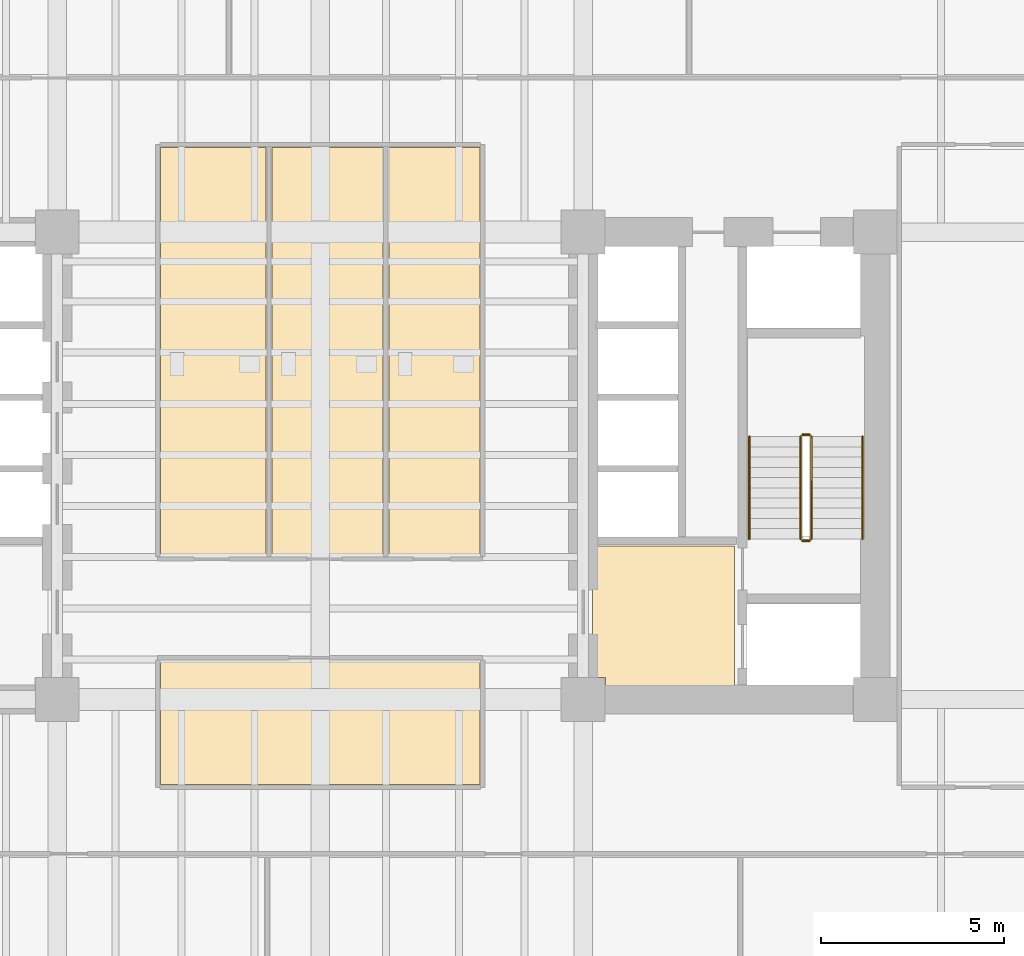
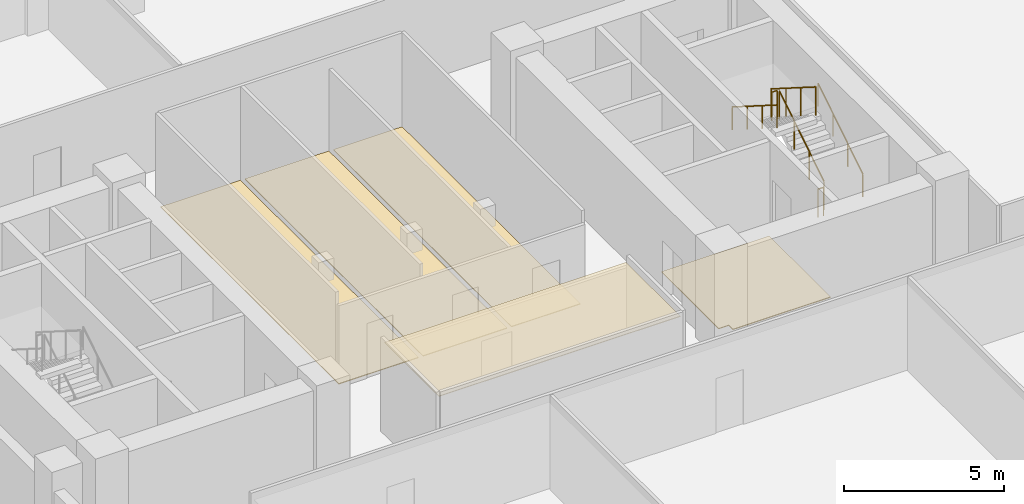
# One storey, part 7 of 9: 6 railings, 5 coverings.
"""IFC4 building model written with IfcOpenShell, lengths in metres."""

from ifc_helpers import new_model, si_unit, direction, frame, origin, origin_2d, place, context, subcontext, project, spatial, polyline, circle, outline, extrude, material, layer, layer_set, type_object, element, save


model = new_model("IFC4")

# Units and contexts
model_context = context("Model", 3, precision=1e-05, world=origin(), true_north=direction((0.0, 1.0)))
body_context = subcontext(model_context, "Body", "Model", "MODEL_VIEW")
ifc_project = project(units=[si_unit("LENGTHUNIT", "METRE"), si_unit("AREAUNIT", "SQUARE_METRE"), si_unit("VOLUMEUNIT", "CUBIC_METRE"), si_unit("PLANEANGLEUNIT", "RADIAN"), si_unit("MASSUNIT", "GRAM", prefix="KILO")], contexts=[model_context])

# Site, building, storey
site_placement = place(None, origin())
site = spatial("IfcSite", under=ifc_project, at=site_placement, CompositionType="ELEMENT")
building_placement = place(site_placement, origin())
building = spatial("IfcBuilding", under=site, at=building_placement, Name="Kranthara Brick Stack", CompositionType="ELEMENT")
storey_placement = place(building_placement, frame((0.0, 0.0, 55.5)))
storey = spatial("IfcBuildingStorey", under=building, at=storey_placement, Name="L13", CompositionType="ELEMENT", Elevation=55.5)

# Coverings
ifc_material_1 = material(Name="Perforated mineral-fibre acoustic ceiling tile", Category="other")
ifc_layer_1 = layer(ifc_material_1, 0.02490234375)
ifc_layer_set_1 = layer_set([ifc_layer_1], Name="Perforated mineral-fibre acoustic ceiling tile")
covering_type_1 = type_object("IfcCoveringType", Name="COV-CEIL-ACOUSTIC", PredefinedType="CEILING", material=ifc_layer_set_1)
covering_1_placement = place(storey_placement, frame((0.0, 0.0, 3.330078125)))
element("IfcCovering", 1, at=covering_1_placement, inside=storey, type_object=covering_type_1, Name="L13 L13 Central Executive Briefing Room Acoustic Ceiling", PredefinedType="CEILING", context=body_context, shape_type="SweptSolid", body=[
    extrude(outline(polyline([(32.3701171875, 18.47998046875), (32.3701171875, 21.8798828125), (23.6298828125, 21.8798828125), (23.6298828125, 18.47998046875), (32.3701171875, 18.47998046875)])), origin(), (0.0, 0.0, 1.0), 0.02490234375),
])
ifc_material_2 = material(Name="Honed terrazzo and porcelain floor finish", Category="stone")
ifc_layer_2 = layer(ifc_material_2, 0.030029296875)
ifc_layer_set_2 = layer_set([ifc_layer_2], Name="Honed terrazzo and porcelain floor finish")
covering_type_2 = type_object("IfcCoveringType", Name="COV-FLOR-STONE", PredefinedType="FLOORING", material=ifc_layer_set_2)
covering_2_placement = place(storey_placement, origin())
element("IfcCovering", 2, at=covering_2_placement, inside=storey, type_object=covering_type_2, Name="L13 Lift Lobby Stone Flooring", PredefinedType="FLOORING", context=body_context, shape_type="SweptSolid", body=[
    extrude(outline(polyline([(35.449951171875, 25.0), (39.35009765625, 25.0), (39.35009765625, 21.14990234375), (35.81005859375, 21.14990234375), (35.81005859375, 21.409912109375), (35.449951171875, 21.409912109375), (35.449951171875, 25.0)])), origin(), (0.0, 0.0, 1.0), 0.030029296875),
])
covering_3_placement = place(storey_placement, origin())
element("IfcCovering", 3, at=covering_3_placement, inside=storey, type_object=covering_type_2, Name="L13 Wet Room Porcelain Flooring", PredefinedType="FLOORING", context=body_context, shape_type="SweptSolid", body=[
    extrude(outline(polyline([(26.52001953125, 24.75), (26.52001953125, 35.919921875), (23.6298828125, 35.919921875), (23.6298828125, 24.75), (26.52001953125, 24.75)])), origin(), (0.0, 0.0, 1.0), 0.030029296875),
])
covering_4_placement = place(storey_placement, origin())
element("IfcCovering", 4, at=covering_4_placement, inside=storey, type_object=covering_type_2, Name="L13 Wet Room Porcelain Flooring", PredefinedType="FLOORING", context=body_context, shape_type="SweptSolid", body=[
    extrude(outline(polyline([(29.719970703125, 24.75), (29.719970703125, 35.919921875), (26.679931640625, 35.919921875), (26.679931640625, 24.75), (29.719970703125, 24.75)])), origin(), (0.0, 0.0, 1.0), 0.030029296875),
])
covering_5_placement = place(storey_placement, origin())
element("IfcCovering", 5, at=covering_5_placement, inside=storey, type_object=covering_type_2, Name="L13 Wet Room Porcelain Flooring", PredefinedType="FLOORING", context=body_context, shape_type="SweptSolid", body=[
    extrude(outline(polyline([(32.3701171875, 24.75), (32.3701171875, 35.919921875), (29.8798828125, 35.919921875), (29.8798828125, 24.75), (32.3701171875, 24.75)])), origin(), (0.0, 0.0, 1.0), 0.030029296875),
])

# Railings
ifc_material_3 = material(Name="Painted galvanized steel stair guardrail", Category="steel")
railing_type_1 = type_object("IfcRailingType", Name="RL-STAIR-GUARD-1100", PredefinedType="GUARDRAIL", material=ifc_material_3)
railing_1_placement = place(storey_placement, frame((41.449951171875, 25.199951171875, 0.17724609375)))
element("IfcRailing", 6, at=railing_1_placement, inside=storey, type_object=railing_type_1, Name="L13 ST02 stair guard 1", PredefinedType="GUARDRAIL", context=body_context, shape_type="SweptSolid", body=[
    extrude(circle(Radius=0.02392578125, at=origin_2d()), frame((0.0, 0.0, 1.076171875), z_axis=(0.0, 0.844908973607, 0.534910110503), x_axis=(-1.0, 0.0, 0.0)), (0.0, 0.0, 1.0), 3.31396484375),
    extrude(circle(Radius=0.02099609375, at=origin_2d()), origin(), (0.0, 0.0, 1.0), 1.052001953125),
    extrude(circle(Radius=0.02099609375, at=origin_2d()), frame((0.0, 0.933349609375, 0.5908203125)), (0.0, 0.0, 1.0), 1.052001953125),
    extrude(circle(Radius=0.02099609375, at=origin_2d()), frame((0.0, 1.86669921875, 1.181884765625)), (0.0, 0.0, 1.0), 1.052001953125),
    extrude(circle(Radius=0.02099609375, at=origin_2d()), frame((0.0, 2.800048828125, 1.772705078125)), (0.0, 0.0, 1.0), 1.052001953125),
])
railing_2_placement = place(storey_placement, frame((41.39990234375, 28.050048828125, 1.949951171875)))
element("IfcRailing", 7, at=railing_2_placement, inside=storey, type_object=railing_type_1, Name="L13 ST02 stair guard 2", PredefinedType="GUARDRAIL", context=body_context, shape_type="SweptSolid", body=[
    extrude(circle(Radius=0.02392578125, at=origin_2d()), frame((0.0, 0.0, 1.076171875), z_axis=(-1.0, 0.0, 0.0), x_axis=(0.0, -1.0, 0.0)), (0.0, 0.0, 1.0), 0.199951171875),
    extrude(circle(Radius=0.02099609375, at=origin_2d()), origin(), (0.0, 0.0, 1.0), 1.052001953125),
    extrude(circle(Radius=0.02099609375, at=origin_2d()), frame((-0.199951171875, 0.0, 0.0)), (0.0, 0.0, 1.0), 1.052001953125),
])
railing_3_placement = place(storey_placement, frame((41.14990234375, 28.0, 2.127197265625)))
element("IfcRailing", 8, at=railing_3_placement, inside=storey, type_object=railing_type_1, Name="L13 ST02 stair guard 3", PredefinedType="GUARDRAIL", context=body_context, shape_type="SweptSolid", body=[
    extrude(circle(Radius=0.02392578125, at=origin_2d()), frame((0.0, 0.0, 1.076171875), z_axis=(0.0, -0.844908973607, 0.534910110503), x_axis=(1.0, 0.0, 0.0)), (0.0, 0.0, 1.0), 3.31396484375),
    extrude(circle(Radius=0.02099609375, at=origin_2d()), origin(), (0.0, 0.0, 1.0), 1.052001953125),
    extrude(circle(Radius=0.02099609375, at=origin_2d()), frame((0.0, -0.933349609375, 0.5908203125)), (0.0, 0.0, 1.0), 1.052001953125),
    extrude(circle(Radius=0.02099609375, at=origin_2d()), frame((0.0, -1.86669921875, 1.181884765625)), (0.0, 0.0, 1.0), 1.052001953125),
    extrude(circle(Radius=0.02099609375, at=origin_2d()), frame((0.0, -2.800048828125, 1.772705078125)), (0.0, 0.0, 1.0), 1.052001953125),
])
railing_4_placement = place(storey_placement, frame((41.39990234375, 25.14990234375, 0.0)))
element("IfcRailing", 9, at=railing_4_placement, inside=storey, type_object=railing_type_1, Name="L13 ST02 stair guard 4", PredefinedType="GUARDRAIL", context=body_context, shape_type="SweptSolid", body=[
    extrude(circle(Radius=0.02392578125, at=origin_2d()), frame((0.0, 0.0, 1.076171875), z_axis=(-1.0, 0.0, 0.0), x_axis=(0.0, -1.0, 0.0)), (0.0, 0.0, 1.0), 0.199951171875),
    extrude(circle(Radius=0.02099609375, at=origin_2d()), origin(), (0.0, 0.0, 1.0), 1.052001953125),
    extrude(circle(Radius=0.02099609375, at=origin_2d()), frame((-0.199951171875, 0.0, 0.0)), (0.0, 0.0, 1.0), 1.052001953125),
])
ifc_material_4 = material(Name="Brushed stainless steel tubular handrail", Category="steel")
railing_type_2 = type_object("IfcRailingType", Name="RL-STAIR-HAND-900", PredefinedType="HANDRAIL", material=ifc_material_4)
railing_5_placement = place(storey_placement, frame((42.85009765625, 25.199951171875, 0.17724609375)))
element("IfcRailing", 10, at=railing_5_placement, inside=storey, type_object=railing_type_2, Name="L13 ST02 stair handrail 1", PredefinedType="HANDRAIL", context=body_context, shape_type="SweptSolid", body=[
    extrude(circle(Radius=0.02392578125, at=origin_2d()), frame((0.0, 0.0, 0.8759765625), z_axis=(0.0, 0.844908973607, 0.534910110503), x_axis=(-1.0, 0.0, 0.0)), (0.0, 0.0, 1.0), 3.31396484375),
    extrude(circle(Radius=0.02099609375, at=origin_2d()), origin(), (0.0, 0.0, 1.0), 0.851806640625),
    extrude(circle(Radius=0.02099609375, at=origin_2d()), frame((0.0, 0.933349609375, 0.5908203125)), (0.0, 0.0, 1.0), 0.851806640625),
    extrude(circle(Radius=0.02099609375, at=origin_2d()), frame((0.0, 1.86669921875, 1.181884765625)), (0.0, 0.0, 1.0), 0.851806640625),
    extrude(circle(Radius=0.02099609375, at=origin_2d()), frame((0.0, 2.800048828125, 1.772705078125)), (0.0, 0.0, 1.0), 0.851806640625),
])
railing_6_placement = place(storey_placement, frame((39.75, 28.0, 2.127197265625)))
element("IfcRailing", 11, at=railing_6_placement, inside=storey, type_object=railing_type_2, Name="L13 ST02 stair handrail 2", PredefinedType="HANDRAIL", context=body_context, shape_type="SweptSolid", body=[
    extrude(circle(Radius=0.02392578125, at=origin_2d()), frame((0.0, 0.0, 0.8759765625), z_axis=(0.0, -0.844908973607, 0.534910110503), x_axis=(1.0, 0.0, 0.0)), (0.0, 0.0, 1.0), 3.31396484375),
    extrude(circle(Radius=0.02099609375, at=origin_2d()), origin(), (0.0, 0.0, 1.0), 0.851806640625),
    extrude(circle(Radius=0.02099609375, at=origin_2d()), frame((0.0, -0.933349609375, 0.5908203125)), (0.0, 0.0, 1.0), 0.851806640625),
    extrude(circle(Radius=0.02099609375, at=origin_2d()), frame((0.0, -1.86669921875, 1.181884765625)), (0.0, 0.0, 1.0), 0.851806640625),
    extrude(circle(Radius=0.02099609375, at=origin_2d()), frame((0.0, -2.800048828125, 1.772705078125)), (0.0, 0.0, 1.0), 0.851806640625),
])

save(model, "model.ifc")
